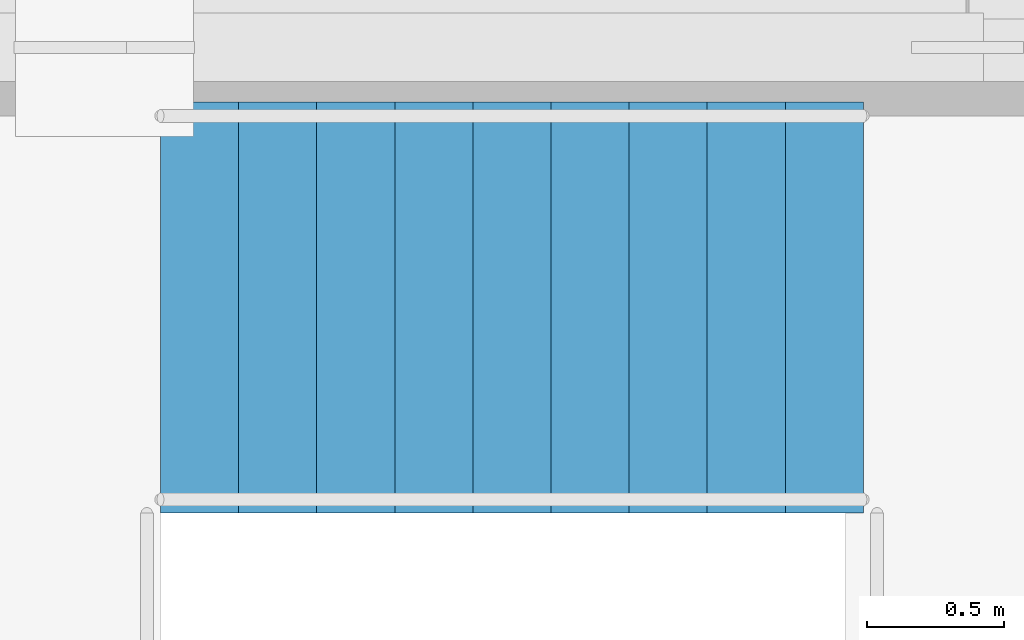
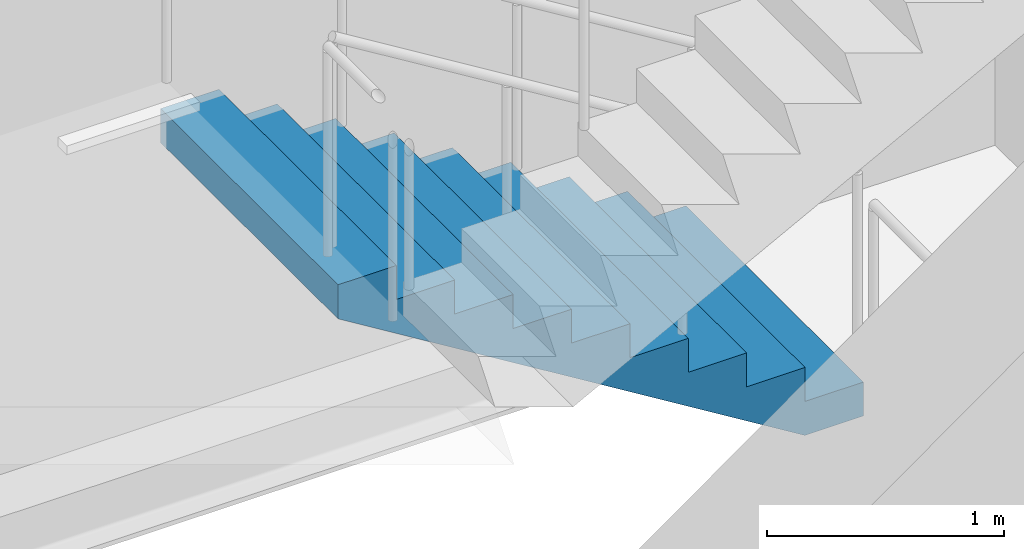
# One storey, part 23 of 24: 1 stair flight, 1 element without a shape of its own.
"""IFC4 building model written with IfcOpenShell, lengths in metres."""

import ifcopenshell
import ifcopenshell.guid

model = None  # the IFC model being written
_history = None  # IfcOwnerHistory: only IFC2X3 demands one
_inside = {}  # id of a spatial element -> (the spatial element, [elements in it])
_under = {}  # id of a project, library or spatial element -> (it, [spatial elements below it])
_declared = {}  # id of a project -> (the project, [libraries it declares])
_typed = {}  # id of a type object -> (the type object, [elements of that type])
_made_of = {}  # id of a material, layer set ... -> (it, [elements and type objects made of it])


def new_model(schema):
    """Start an empty IFC model of exactly this schema.

    Asked for "IFC4X3", IfcOpenShell would pick the latest addendum, in which some entities
    have other attributes; the version numbers below select the first issue.
    IFC2X3 requires an IfcOwnerHistory on every rooted entity: one is made here for all.
    """
    global model, _history
    if schema == "IFC4X3":
        model = ifcopenshell.file(schema_version=(4, 3, 0, 0))
    else:
        model = ifcopenshell.file(schema=schema)
    _inside.clear()
    _under.clear()
    _declared.clear()
    _typed.clear()
    _made_of.clear()
    _history = None
    if model.schema == "IFC2X3":
        org = make("IfcOrganization", Name="unknown")
        user = make(
            "IfcPersonAndOrganization",
            ThePerson=make("IfcPerson", FamilyName="unknown"),
            TheOrganization=org,
        )
        app = make(
            "IfcApplication",
            ApplicationDeveloper=org,
            Version="unknown",
            ApplicationFullName="unknown",
            ApplicationIdentifier="unknown",
        )
        _history = make(
            "IfcOwnerHistory",
            OwningUser=user,
            OwningApplication=app,
            ChangeAction="ADDED",
            CreationDate=0,
        )
    return model


def make(cls, **values):
    """One entity of the class cls with the attributes given. An attribute that is None is left unset."""
    return model.create_entity(
        cls, **{name: value for name, value in values.items() if value is not None}
    )


def rooted(cls, **values):
    """An entity with a GlobalId (a new one), such as an element, a storey or a relation."""
    return make(cls, GlobalId=ifcopenshell.guid.new(), OwnerHistory=_history, **values)


def si_unit(unit_type, name, prefix=None):
    """IfcSIUnit, for example si_unit("LENGTHUNIT", "METRE", prefix="MILLI")."""
    return make("IfcSIUnit", UnitType=unit_type, Prefix=prefix, Name=name)


def assignment(units):
    """IfcUnitAssignment: the units of a project."""
    return None if units is None else make("IfcUnitAssignment", Units=units)


def point(xyz):
    """IfcCartesianPoint."""
    return None if xyz is None else make("IfcCartesianPoint", Coordinates=xyz)


def direction(xyz):
    """IfcDirection."""
    return None if xyz is None else make("IfcDirection", DirectionRatios=xyz)


def frame(location, z_axis=None, x_axis=None):
    """IfcAxis2Placement3D, a coordinate frame: its origin and axes. An axis left out is left unset."""
    return make(
        "IfcAxis2Placement3D",
        Location=point(location),
        Axis=direction(z_axis),
        RefDirection=direction(x_axis),
    )


def origin():
    """The frame at (0, 0, 0) with its axes left unset."""
    return frame((0.0, 0.0, 0.0))


def place(relative_to, where):
    """IfcLocalPlacement: puts the frame where relative to a parent placement (None: the world)."""
    return make(
        "IfcLocalPlacement", PlacementRelTo=relative_to, RelativePlacement=where
    )


def context(
    kind, dimensions, precision=None, world=None, true_north=None, identifier=None
):
    """IfcGeometricRepresentationContext, for example the 3D "Model" context."""
    return make(
        "IfcGeometricRepresentationContext",
        ContextIdentifier=identifier,
        ContextType=kind,
        CoordinateSpaceDimension=dimensions,
        Precision=precision,
        WorldCoordinateSystem=world,
        TrueNorth=true_north,
    )


def subcontext(parent, identifier, kind, view, scale=None):
    """IfcGeometricRepresentationSubContext, for example "Body" below "Model"."""
    return make(
        "IfcGeometricRepresentationSubContext",
        ContextIdentifier=identifier,
        ContextType=kind,
        ParentContext=parent,
        TargetScale=scale,
        TargetView=view,
    )


def project(units=None, contexts=None):
    """IfcProject with its units and contexts."""
    return rooted(
        "IfcProject",
        Name="project",
        RepresentationContexts=contexts,
        UnitsInContext=assignment(units),
    )


def spatial(cls, under=None, at=None, **own):
    """A site, building, storey or space (cls), placed at a placement, below another one or the project."""
    s = rooted(cls, ObjectPlacement=at, **own)
    if under is not None:
        _under.setdefault(under.id(), (under, []))[1].append(s)
    return s


def polyline(points):
    """IfcPolyline through the points."""
    return make("IfcPolyline", Points=[point(p) for p in points])


def outline(outer, holes=None, kind="AREA"):
    """IfcArbitraryClosedProfileDef: a profile drawn as a closed curve; with holes, ...WithVoids."""
    if holes is None:
        return make("IfcArbitraryClosedProfileDef", ProfileType=kind, OuterCurve=outer)
    return make(
        "IfcArbitraryProfileDefWithVoids",
        ProfileType=kind,
        OuterCurve=outer,
        InnerCurves=holes,
    )


def extrude(swept, where, along, depth):
    """IfcExtrudedAreaSolid: the profile swept, set in the frame where, extruded along a direction by depth."""
    return make(
        "IfcExtrudedAreaSolid",
        SweptArea=swept,
        Position=where,
        ExtrudedDirection=direction(along),
        Depth=depth,
    )


def shape(context_of_items, identifier, shape_type, items):
    """IfcShapeRepresentation: the items that make up one representation, for example the "Body"."""
    return make(
        "IfcShapeRepresentation",
        ContextOfItems=context_of_items,
        RepresentationIdentifier=identifier,
        RepresentationType=shape_type,
        Items=items,
    )


def material(Name=None, Category=None):
    """IfcMaterial."""
    return make("IfcMaterial", Name=Name, Category=Category)


def made_of(thing, what):
    """Note that an element or type object is made of a material, layer set ...; save() writes the relation."""
    if what is not None:
        _made_of.setdefault(what.id(), (what, []))[1].append(thing)
    return thing


def type_object(cls, material=None, **own):
    """A type object (cls), such as IfcWallType, which elements share."""
    return made_of(rooted(cls, **own), material)


def element(
    cls,
    number,
    at=None,
    inside=None,
    cuts=None,
    type_object=None,
    material=None,
    context=None,
    identifier="Body",
    shape_type=None,
    held_by="IfcProductDefinitionShape",
    body=None,
    shapes=None,
    **own,
):
    """One element of the class cls, such as IfcWall. Its Tag is "e" and its number.

    at: its placement. inside: the storey or other place that contains it. cuts: it is an
    opening in that element (IfcRelVoidsElement). A single representation is given by context,
    identifier, shape_type and body (its items); several are given by shapes. held_by: the class
    of the entity that holds the representations. save() writes the other relations.
    """
    e = rooted(cls, Tag="e%d" % number, ObjectPlacement=at, **own)
    if body is not None:
        shapes = [shape(context, identifier, shape_type, body)]
    if shapes is not None:
        e.Representation = make(held_by, Representations=shapes)
    if inside is not None:
        _inside.setdefault(inside.id(), (inside, []))[1].append(e)
    if cuts is not None:
        rooted(
            "IfcRelVoidsElement", RelatingBuildingElement=cuts, RelatedOpeningElement=e
        )
    if type_object is not None:
        _typed.setdefault(type_object.id(), (type_object, []))[1].append(e)
    return made_of(e, material)


def aggregate(whole, parts):
    """IfcRelAggregates: a whole, such as a stair, and the parts it consists of."""
    return rooted("IfcRelAggregates", RelatingObject=whole, RelatedObjects=parts)


def save(model, path):
    """Write the relations noted so far, then the file.

    IfcRelAggregates (storeys below a building ...), IfcRelContainedInSpatialStructure (elements
    in a storey), IfcRelDefinesByType, IfcRelAssociatesMaterial and IfcRelDeclares: one each for
    every whole, place, type object, material and project.
    """
    for whole, parts in _under.values():
        aggregate(whole, parts)
    for where, things in _inside.values():
        rooted(
            "IfcRelContainedInSpatialStructure",
            RelatedElements=things,
            RelatingStructure=where,
        )
    for kind, things in _typed.values():
        rooted("IfcRelDefinesByType", RelatedObjects=things, RelatingType=kind)
    for what, things in _made_of.values():
        rooted("IfcRelAssociatesMaterial", RelatedObjects=things, RelatingMaterial=what)
    for by, libraries in _declared.values():
        rooted("IfcRelDeclares", RelatingContext=by, RelatedDefinitions=libraries)
    model.write(path)


model = new_model("IFC4")

# Units and contexts
model_context = context("Model", 3, precision=1e-05, world=origin(), true_north=direction((0.0, 1.0)))
body_context = subcontext(model_context, "Body", "Model", "MODEL_VIEW")
ifc_project = project(units=[si_unit("LENGTHUNIT", "METRE"), si_unit("AREAUNIT", "SQUARE_METRE"), si_unit("VOLUMEUNIT", "CUBIC_METRE"), si_unit("PLANEANGLEUNIT", "RADIAN"), si_unit("MASSUNIT", "GRAM", prefix="KILO")], contexts=[model_context])

# Site, building, storey
site_placement = place(None, origin())
site = spatial("IfcSite", under=ifc_project, at=site_placement, CompositionType="ELEMENT")
building_placement = place(site_placement, origin())
building = spatial("IfcBuilding", under=site, at=building_placement, Name="Cobrela Telecom Tower", CompositionType="ELEMENT")
storey_placement = place(building_placement, frame((0.0, 0.0, 248.14990234375)))
storey = spatial("IfcBuildingStorey", under=building, at=storey_placement, Name="L64", CompositionType="ELEMENT", Elevation=248.14990234375)

# Stair, stair flight
ifc_material = material(Name="Concrete C40/50", Category="concrete")
stair_type = type_object("IfcStairType", Name="STAIR-CORE", PredefinedType="HALF_TURN_STAIR", material=ifc_material)
stair_placement = place(storey_placement, origin())
stair = element("IfcStair", 1, at=stair_placement, inside=storey, type_object=stair_type, Name="L64 Smokeproof Exit Stair ST1", PredefinedType="HALF_TURN_STAIR")
stair_flight_type = type_object("IfcStairFlightType", Name="FLIGHT-CORE", PredefinedType="STRAIGHT", material=ifc_material)
stair_flight_placement = place(storey_placement, frame((6.820068359375, 34.800048828125, 0.0), z_axis=(0.0, 0.0, 1.0), x_axis=(-1.0, 0.0, 0.0)))
stair_flight = element("IfcStairFlight", 2, at=stair_flight_placement, type_object=stair_flight_type, Name="ST1 flight 1", NumberOfRisers=10, NumberOfTreads=9, PredefinedType="STRAIGHT", RiserHeight=0.175, TreadLength=0.285, context=body_context, shape_type="SweptSolid", body=[
    extrude(outline(polyline([(0.0, 0.0), (0.0, 0.175048828125), (0.284912109375, 0.175048828125), (0.284912109375, 0.35009765625), (0.570068359375, 0.35009765625), (0.570068359375, 0.52490234375), (0.85498046875, 0.52490234375), (0.85498046875, 0.699951171875), (1.139892578125, 0.699951171875), (1.139892578125, 0.875), (1.425048828125, 0.875), (1.425048828125, 1.050048828125), (1.7099609375, 1.050048828125), (1.7099609375, 1.22509765625), (1.9951171875, 1.22509765625), (1.9951171875, 1.39990234375), (2.280029296875, 1.39990234375), (2.280029296875, 1.574951171875), (2.56494140625, 1.574951171875), (2.56494140625, 1.75), (2.56494140625, 1.399169921875), (0.286376953125, 0.0), (0.0, 0.0)])), frame((0.0, 0.75, 0.0), z_axis=(0.0, -1.0, 0.0), x_axis=(1.0, 0.0, 0.0)), (0.0, 0.0, 1.0), 1.5),
])
aggregate(stair, [stair_flight])

save(model, "model.ifc")
